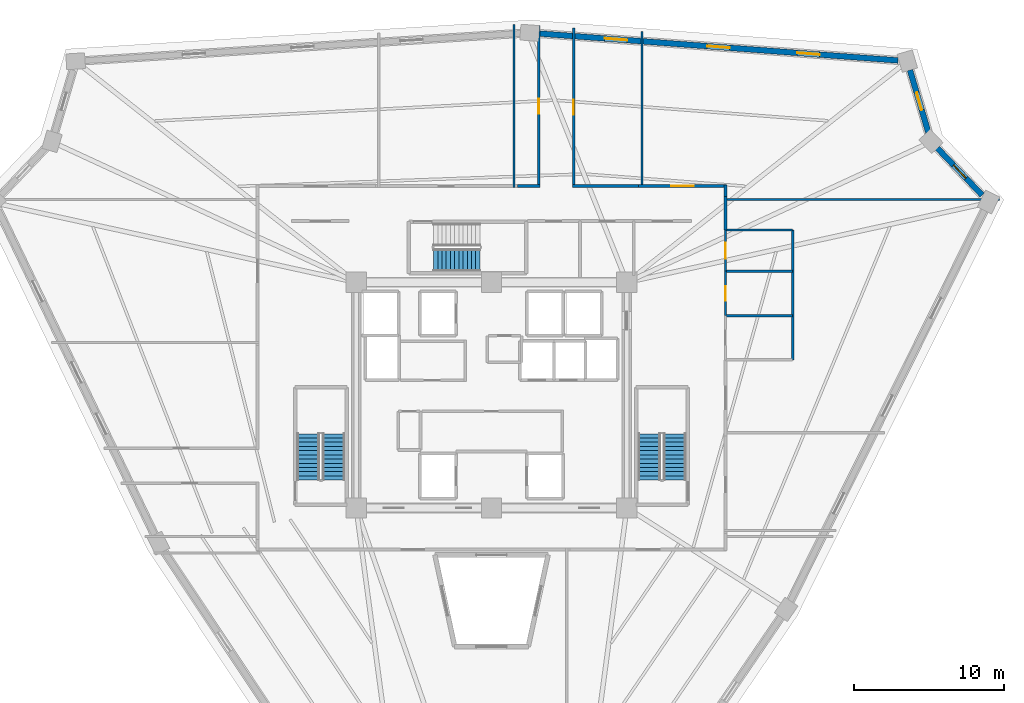
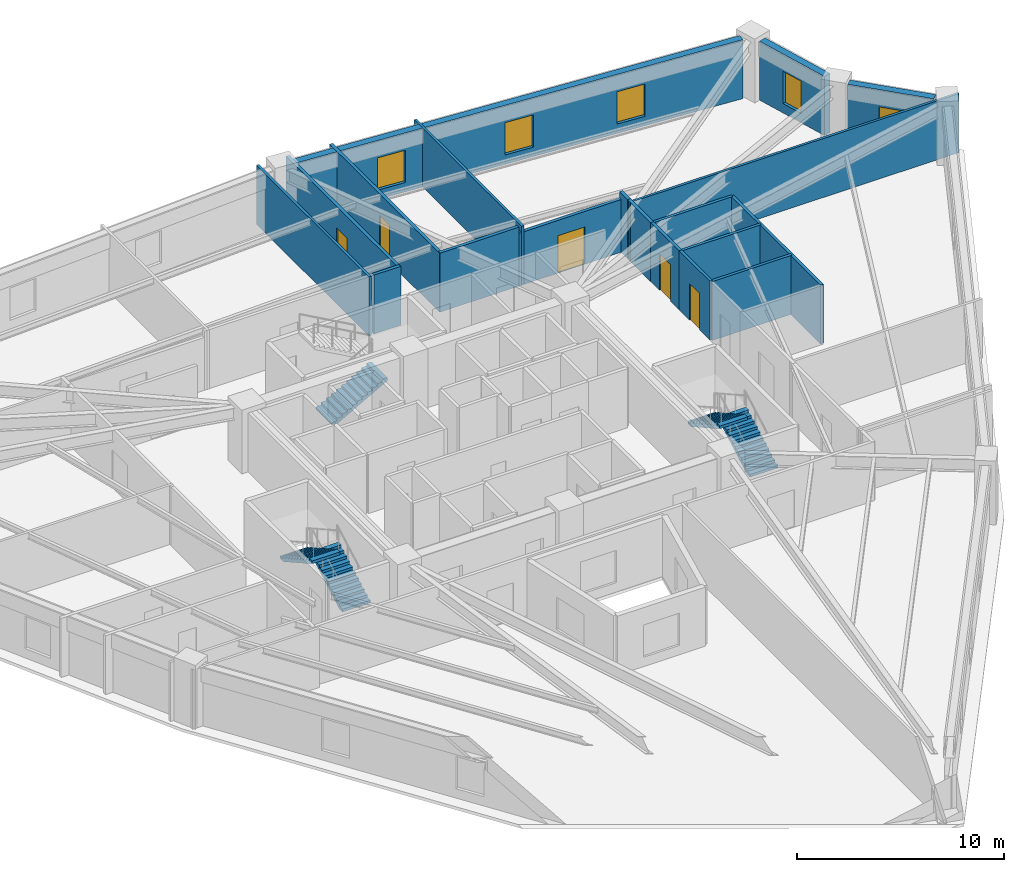
# One storey, part 7 of 9: 19 walls, 5 doors, 5 stair flights, 5 windows, 10 openings, 3 elements without a shape of their own.
"""IFC4 building model written with IfcOpenShell, lengths in metres."""

import ifcopenshell
import ifcopenshell.guid

model = None  # the IFC model being written
_history = None  # IfcOwnerHistory: only IFC2X3 demands one
_inside = {}  # id of a spatial element -> (the spatial element, [elements in it])
_under = {}  # id of a project, library or spatial element -> (it, [spatial elements below it])
_declared = {}  # id of a project -> (the project, [libraries it declares])
_typed = {}  # id of a type object -> (the type object, [elements of that type])
_made_of = {}  # id of a material, layer set ... -> (it, [elements and type objects made of it])


def new_model(schema):
    """Start an empty IFC model of exactly this schema.

    Asked for "IFC4X3", IfcOpenShell would pick the latest addendum, in which some entities
    have other attributes; the version numbers below select the first issue.
    IFC2X3 requires an IfcOwnerHistory on every rooted entity: one is made here for all.
    """
    global model, _history
    if schema == "IFC4X3":
        model = ifcopenshell.file(schema_version=(4, 3, 0, 0))
    else:
        model = ifcopenshell.file(schema=schema)
    _inside.clear()
    _under.clear()
    _declared.clear()
    _typed.clear()
    _made_of.clear()
    _history = None
    if model.schema == "IFC2X3":
        org = make("IfcOrganization", Name="unknown")
        user = make(
            "IfcPersonAndOrganization",
            ThePerson=make("IfcPerson", FamilyName="unknown"),
            TheOrganization=org,
        )
        app = make(
            "IfcApplication",
            ApplicationDeveloper=org,
            Version="unknown",
            ApplicationFullName="unknown",
            ApplicationIdentifier="unknown",
        )
        _history = make(
            "IfcOwnerHistory",
            OwningUser=user,
            OwningApplication=app,
            ChangeAction="ADDED",
            CreationDate=0,
        )
    return model


def make(cls, **values):
    """One entity of the class cls with the attributes given. An attribute that is None is left unset."""
    return model.create_entity(
        cls, **{name: value for name, value in values.items() if value is not None}
    )


def rooted(cls, **values):
    """An entity with a GlobalId (a new one), such as an element, a storey or a relation."""
    return make(cls, GlobalId=ifcopenshell.guid.new(), OwnerHistory=_history, **values)


def si_unit(unit_type, name, prefix=None):
    """IfcSIUnit, for example si_unit("LENGTHUNIT", "METRE", prefix="MILLI")."""
    return make("IfcSIUnit", UnitType=unit_type, Prefix=prefix, Name=name)


def assignment(units):
    """IfcUnitAssignment: the units of a project."""
    return None if units is None else make("IfcUnitAssignment", Units=units)


def point(xyz):
    """IfcCartesianPoint."""
    return None if xyz is None else make("IfcCartesianPoint", Coordinates=xyz)


def direction(xyz):
    """IfcDirection."""
    return None if xyz is None else make("IfcDirection", DirectionRatios=xyz)


def frame(location, z_axis=None, x_axis=None):
    """IfcAxis2Placement3D, a coordinate frame: its origin and axes. An axis left out is left unset."""
    return make(
        "IfcAxis2Placement3D",
        Location=point(location),
        Axis=direction(z_axis),
        RefDirection=direction(x_axis),
    )


def frame_2d(location, x_axis=None):
    """IfcAxis2Placement2D, a coordinate frame in the plane: its origin and x axis."""
    return make(
        "IfcAxis2Placement2D", Location=point(location), RefDirection=direction(x_axis)
    )


def origin():
    """The frame at (0, 0, 0) with its axes left unset."""
    return frame((0.0, 0.0, 0.0))


def place(relative_to, where):
    """IfcLocalPlacement: puts the frame where relative to a parent placement (None: the world)."""
    return make(
        "IfcLocalPlacement", PlacementRelTo=relative_to, RelativePlacement=where
    )


def context(
    kind, dimensions, precision=None, world=None, true_north=None, identifier=None
):
    """IfcGeometricRepresentationContext, for example the 3D "Model" context."""
    return make(
        "IfcGeometricRepresentationContext",
        ContextIdentifier=identifier,
        ContextType=kind,
        CoordinateSpaceDimension=dimensions,
        Precision=precision,
        WorldCoordinateSystem=world,
        TrueNorth=true_north,
    )


def subcontext(parent, identifier, kind, view, scale=None):
    """IfcGeometricRepresentationSubContext, for example "Body" below "Model"."""
    return make(
        "IfcGeometricRepresentationSubContext",
        ContextIdentifier=identifier,
        ContextType=kind,
        ParentContext=parent,
        TargetScale=scale,
        TargetView=view,
    )


def project(units=None, contexts=None):
    """IfcProject with its units and contexts."""
    return rooted(
        "IfcProject",
        Name="project",
        RepresentationContexts=contexts,
        UnitsInContext=assignment(units),
    )


def spatial(cls, under=None, at=None, **own):
    """A site, building, storey or space (cls), placed at a placement, below another one or the project."""
    s = rooted(cls, ObjectPlacement=at, **own)
    if under is not None:
        _under.setdefault(under.id(), (under, []))[1].append(s)
    return s


def polyline(points):
    """IfcPolyline through the points."""
    return make("IfcPolyline", Points=[point(p) for p in points])


def profile(cls, at=None, kind="AREA", **sizes):
    """A parametric profile (cls). Its sizes go by their IFC names, for example OverallWidth=200.0."""
    return make(cls, ProfileType=kind, Position=at, **sizes)


def rectangle(**sizes):
    """IfcRectangleProfileDef."""
    return profile("IfcRectangleProfileDef", **sizes)


def outline(outer, holes=None, kind="AREA"):
    """IfcArbitraryClosedProfileDef: a profile drawn as a closed curve; with holes, ...WithVoids."""
    if holes is None:
        return make("IfcArbitraryClosedProfileDef", ProfileType=kind, OuterCurve=outer)
    return make(
        "IfcArbitraryProfileDefWithVoids",
        ProfileType=kind,
        OuterCurve=outer,
        InnerCurves=holes,
    )


def extrude(swept, where, along, depth):
    """IfcExtrudedAreaSolid: the profile swept, set in the frame where, extruded along a direction by depth."""
    return make(
        "IfcExtrudedAreaSolid",
        SweptArea=swept,
        Position=where,
        ExtrudedDirection=direction(along),
        Depth=depth,
    )


def shape(context_of_items, identifier, shape_type, items):
    """IfcShapeRepresentation: the items that make up one representation, for example the "Body"."""
    return make(
        "IfcShapeRepresentation",
        ContextOfItems=context_of_items,
        RepresentationIdentifier=identifier,
        RepresentationType=shape_type,
        Items=items,
    )


def source(mapping_origin, context_of_items, identifier, shape_type, items):
    """IfcRepresentationMap: a shape defined once, which mapped items show again and again."""
    return make(
        "IfcRepresentationMap",
        MappingOrigin=mapping_origin,
        MappedRepresentation=shape(context_of_items, identifier, shape_type, items),
    )


def transform(
    local_origin,
    x_axis=None,
    y_axis=None,
    z_axis=None,
    scale=None,
    scale2=None,
    scale3=None,
    uniform=True,
):
    """IfcCartesianTransformationOperator3D, or its non-uniform kind. x_axis, y_axis, z_axis: its Axis1, 2, 3."""
    if uniform:
        return make(
            "IfcCartesianTransformationOperator3D",
            Axis1=direction(x_axis),
            Axis2=direction(y_axis),
            LocalOrigin=point(local_origin),
            Scale=scale,
            Axis3=direction(z_axis),
        )
    return make(
        "IfcCartesianTransformationOperator3DnonUniform",
        Axis1=direction(x_axis),
        Axis2=direction(y_axis),
        LocalOrigin=point(local_origin),
        Scale=scale,
        Axis3=direction(z_axis),
        Scale2=scale2,
        Scale3=scale3,
    )


def mapped(mapping_source, mapping_target):
    """IfcMappedItem: shows the shape of a source again, moved by a transform."""
    return make(
        "IfcMappedItem", MappingSource=mapping_source, MappingTarget=mapping_target
    )


def material(Name=None, Category=None):
    """IfcMaterial."""
    return make("IfcMaterial", Name=Name, Category=Category)


def layer(
    of_material, thickness, ventilated=None, Name=None, Category=None, Priority=None
):
    """IfcMaterialLayer: one layer of a wall or slab, of a material (None: an air gap)."""
    return make(
        "IfcMaterialLayer",
        Material=of_material,
        LayerThickness=thickness,
        IsVentilated=ventilated,
        Name=Name,
        Category=Category,
        Priority=Priority,
    )


def layer_set(layers, Name=None):
    """IfcMaterialLayerSet."""
    return make("IfcMaterialLayerSet", MaterialLayers=layers, LayerSetName=Name)


def made_of(thing, what):
    """Note that an element or type object is made of a material, layer set ...; save() writes the relation."""
    if what is not None:
        _made_of.setdefault(what.id(), (what, []))[1].append(thing)
    return thing


def type_object(cls, material=None, **own):
    """A type object (cls), such as IfcWallType, which elements share."""
    return made_of(rooted(cls, **own), material)


def element(
    cls,
    number,
    at=None,
    inside=None,
    cuts=None,
    type_object=None,
    material=None,
    context=None,
    identifier="Body",
    shape_type=None,
    held_by="IfcProductDefinitionShape",
    body=None,
    shapes=None,
    **own,
):
    """One element of the class cls, such as IfcWall. Its Tag is "e" and its number.

    at: its placement. inside: the storey or other place that contains it. cuts: it is an
    opening in that element (IfcRelVoidsElement). A single representation is given by context,
    identifier, shape_type and body (its items); several are given by shapes. held_by: the class
    of the entity that holds the representations. save() writes the other relations.
    """
    e = rooted(cls, Tag="e%d" % number, ObjectPlacement=at, **own)
    if body is not None:
        shapes = [shape(context, identifier, shape_type, body)]
    if shapes is not None:
        e.Representation = make(held_by, Representations=shapes)
    if inside is not None:
        _inside.setdefault(inside.id(), (inside, []))[1].append(e)
    if cuts is not None:
        rooted(
            "IfcRelVoidsElement", RelatingBuildingElement=cuts, RelatedOpeningElement=e
        )
    if type_object is not None:
        _typed.setdefault(type_object.id(), (type_object, []))[1].append(e)
    return made_of(e, material)


def fill(opening, filler):
    """IfcRelFillsElement: the door or window that sits in an opening."""
    return rooted(
        "IfcRelFillsElement",
        RelatingOpeningElement=opening,
        RelatedBuildingElement=filler,
    )


def aggregate(whole, parts):
    """IfcRelAggregates: a whole, such as a stair, and the parts it consists of."""
    return rooted("IfcRelAggregates", RelatingObject=whole, RelatedObjects=parts)


def save(model, path):
    """Write the relations noted so far, then the file.

    IfcRelAggregates (storeys below a building ...), IfcRelContainedInSpatialStructure (elements
    in a storey), IfcRelDefinesByType, IfcRelAssociatesMaterial and IfcRelDeclares: one each for
    every whole, place, type object, material and project.
    """
    for whole, parts in _under.values():
        aggregate(whole, parts)
    for where, things in _inside.values():
        rooted(
            "IfcRelContainedInSpatialStructure",
            RelatedElements=things,
            RelatingStructure=where,
        )
    for kind, things in _typed.values():
        rooted("IfcRelDefinesByType", RelatedObjects=things, RelatingType=kind)
    for what, things in _made_of.values():
        rooted("IfcRelAssociatesMaterial", RelatedObjects=things, RelatingMaterial=what)
    for by, libraries in _declared.values():
        rooted("IfcRelDeclares", RelatingContext=by, RelatedDefinitions=libraries)
    model.write(path)


model = new_model("IFC4")

# Units and contexts
model_context = context("Model", 3, precision=1e-05, world=origin(), true_north=direction((0.0, 1.0)))
body_context = subcontext(model_context, "Body", "Model", "MODEL_VIEW")
ifc_project = project(units=[si_unit("LENGTHUNIT", "METRE"), si_unit("AREAUNIT", "SQUARE_METRE"), si_unit("VOLUMEUNIT", "CUBIC_METRE"), si_unit("PLANEANGLEUNIT", "RADIAN"), si_unit("MASSUNIT", "GRAM", prefix="KILO")], contexts=[model_context])

# Site, building, storey
site_placement = place(None, origin())
site = spatial("IfcSite", under=ifc_project, at=site_placement, CompositionType="ELEMENT")
building_placement = place(site_placement, origin())
building = spatial("IfcBuilding", under=site, at=building_placement, Name="Liaohun Quay Tower", CompositionType="ELEMENT")
storey_placement = place(building_placement, frame((0.0, 0.0, 228.0)))
storey = spatial("IfcBuildingStorey", under=building, at=storey_placement, Name="L59", CompositionType="ELEMENT", Elevation=228.0)

# Wall, opening, window
ifc_material_1 = material(Name="Precast concrete C50 insulated sandwich", Category="concrete")
ifc_layer_1 = layer(ifc_material_1, 0.3798828125, Name="Precast concrete C50 insulated sandwich", Category="concrete")
ifc_layer_set_1 = layer_set([ifc_layer_1], Name="Precast concrete C50 insulated sandwich")
wall_type_1 = type_object("IfcWallType", Name="WAL-EXT-Z34", PredefinedType="SOLIDWALL", material=ifc_layer_set_1)
wall_1_placement = place(storey_placement, frame((92.626953125, 67.2919921875, 0.0), z_axis=(0.0, 0.0, 1.0), x_axis=(-0.689302673128, 0.724473481101, 0.0)))
wall_1 = element("IfcWall", 1, at=wall_1_placement, inside=storey, type_object=wall_type_1, Name="L59 Brutalist Precast Pier Wall 04", PredefinedType="SOLIDWALL", context=body_context, shape_type="SweptSolid", body=[
    extrude(rectangle(XDim=4.32470703125, YDim=0.3798828125, at=frame_2d((2.162353515625, 0.0))), origin(), (0.0, 0.0, 1.0), 3.469970703125),
])
shared_shape_1 = source(origin(), body_context, "Body", "SweptSolid", [
    extrude(rectangle(XDim=1.199951171875, YDim=1.89990234375, at=frame_2d((0.60009765625, 0.949951171875))), frame((0.0, 0.199951171875, 0.0), z_axis=(0.0, -1.0, 0.0), x_axis=(1.0, 0.0, 0.0)), (0.0, 0.0, 1.0), 0.39990234375),
])
opening_1_placement = place(wall_1_placement, frame((1.56201171875, 0.0, 0.550048828125)))
opening_1 = element("IfcOpeningElement", 2, at=opening_1_placement, cuts=wall_1, Name="Opening W05", PredefinedType="OPENING", context=body_context, shape_type="MappedRepresentation", body=[
    mapped(shared_shape_1, transform((0.0, 0.0, 0.0), x_axis=(1.0, 0.0, 0.0), y_axis=(0.0, 1.0, 0.0), z_axis=(0.0, 0.0, 1.0), scale=1.0)),
])
ifc_material_2 = material(Name="Triple Low-E corner notch glazing", Category="glass")
window_type_1 = type_object("IfcWindowType", Name="WIN-NOTCH", PartitioningType="SINGLE_PANEL", PredefinedType="WINDOW", material=ifc_material_2)
shared_shape_2 = source(origin(), body_context, "Body", "SweptSolid", [
    extrude(rectangle(XDim=1.199951171875, YDim=1.89990234375, at=frame_2d((0.60009765625, 0.949951171875))), frame((0.0, 0.030029296875, 0.0), z_axis=(0.0, -1.0, 0.0), x_axis=(1.0, 0.0, 0.0)), (0.0, 0.0, 1.0), 0.06005859375),
])
window_1_placement = place(opening_1_placement, origin())
window_1 = element("IfcWindow", 3, at=window_1_placement, inside=storey, type_object=window_type_1, Name="L59 Corner Notch Window W05-04", OverallHeight=1.89990234375, OverallWidth=1.199951171875, PartitioningType="SINGLE_PANEL", PredefinedType="WINDOW", context=body_context, shape_type="MappedRepresentation", body=[
    mapped(shared_shape_2, transform((0.0, 0.0, 0.0), x_axis=(1.0, 0.0, 0.0), y_axis=(0.0, 1.0, 0.0), z_axis=(0.0, 0.0, 1.0), scale=1.0)),
])
fill(opening_1, window_1)

wall_2_placement = place(storey_placement, frame((89.048095703125, 71.4609375, 0.0), z_axis=(0.0, 0.0, 1.0), x_axis=(-0.282748942372, 0.959193950975, 0.0)))
wall_2 = element("IfcWall", 4, at=wall_2_placement, inside=storey, type_object=wall_type_1, Name="L59 Brutalist Precast Pier Wall 05", PredefinedType="SOLIDWALL", context=body_context, shape_type="SweptSolid", body=[
    extrude(rectangle(XDim=4.332763671875, YDim=0.3798828125, at=frame_2d((2.16650390625, 0.0))), origin(), (0.0, 0.0, 1.0), 3.469970703125),
])
opening_2_placement = place(wall_2_placement, frame((1.56591796875, 0.0, 0.550048828125)))
opening_2 = element("IfcOpeningElement", 5, at=opening_2_placement, cuts=wall_2, Name="Opening W05", PredefinedType="OPENING", context=body_context, shape_type="MappedRepresentation", body=[
    mapped(shared_shape_1, transform((0.0, 0.0, 0.0), x_axis=(1.0, 0.0, 0.0), y_axis=(0.0, 1.0, 0.0), z_axis=(0.0, 0.0, 1.0), scale=1.0)),
])
window_2_placement = place(opening_2_placement, origin())
window_2 = element("IfcWindow", 6, at=window_2_placement, inside=storey, type_object=window_type_1, Name="L59 Corner Notch Window W05-05", OverallHeight=1.89990234375, OverallWidth=1.199951171875, PartitioningType="SINGLE_PANEL", PredefinedType="WINDOW", context=body_context, shape_type="MappedRepresentation", body=[
    mapped(shared_shape_2, transform((0.0, 0.0, 0.0), x_axis=(1.0, 0.0, 0.0), y_axis=(0.0, 1.0, 0.0), z_axis=(0.0, 0.0, 1.0), scale=1.0)),
])
fill(opening_2, window_2)

# Wall, openings, windows
wall_3_placement = place(storey_placement, frame((87.035888671875, 76.2529296875, 0.0), z_axis=(0.0, 0.0, 1.0), x_axis=(-0.997196419931, 0.07482847103, 0.0)))
wall_3 = element("IfcWall", 7, at=wall_3_placement, inside=storey, type_object=wall_type_1, Name="L59 Brutalist Precast Pier Wall 06", PredefinedType="SOLIDWALL", context=body_context, shape_type="SweptSolid", body=[
    extrude(rectangle(XDim=23.947998046875, YDim=0.3798828125, at=frame_2d((11.97412109375, 0.0))), origin(), (0.0, 0.0, 1.0), 3.469970703125),
])
shared_shape_3 = source(origin(), body_context, "Body", "SweptSolid", [
    extrude(rectangle(XDim=1.5, YDim=1.89990234375, at=frame_2d((0.75, 0.949951171875))), frame((0.0, 0.199951171875, 0.0), z_axis=(0.0, -1.0, 0.0), x_axis=(1.0, 0.0, 0.0)), (0.0, 0.0, 1.0), 0.39990234375),
])
opening_3_placement = place(wall_3_placement, frame((5.237060546875, 0.0, 0.550048828125)))
opening_3 = element("IfcOpeningElement", 8, at=opening_3_placement, cuts=wall_3, Name="Opening W03", PredefinedType="OPENING", context=body_context, shape_type="MappedRepresentation", body=[
    mapped(shared_shape_3, transform((0.0, 0.0, 0.0), x_axis=(1.0, 0.0, 0.0), y_axis=(0.0, 1.0, 0.0), z_axis=(0.0, 0.0, 1.0), scale=1.0)),
])
opening_4_placement = place(wall_3_placement, frame((11.22412109375, 0.0, 0.550048828125)))
opening_4 = element("IfcOpeningElement", 9, at=opening_4_placement, cuts=wall_3, Name="Opening W03", PredefinedType="OPENING", context=body_context, shape_type="MappedRepresentation", body=[
    mapped(shared_shape_3, transform((0.0, 0.0, 0.0), x_axis=(1.0, 0.0, 0.0), y_axis=(0.0, 1.0, 0.0), z_axis=(0.0, 0.0, 1.0), scale=1.0)),
])
opening_5_placement = place(wall_3_placement, frame((18.06103515625, 0.0, 0.550048828125)))
opening_5 = element("IfcOpeningElement", 10, at=opening_5_placement, cuts=wall_3, Name="Opening W03", PredefinedType="OPENING", context=body_context, shape_type="MappedRepresentation", body=[
    mapped(shared_shape_3, transform((0.0, 0.0, 0.0), x_axis=(1.0, 0.0, 0.0), y_axis=(0.0, 1.0, 0.0), z_axis=(0.0, 0.0, 1.0), scale=1.0)),
])
ifc_material_3 = material(Name="Triple Low-E argon glazing in thermally broken aluminium", Category="aluminium")
window_type_2 = type_object("IfcWindowType", Name="WIN-PUN-Z3", PartitioningType="DOUBLE_PANEL_VERTICAL", PredefinedType="WINDOW", material=ifc_material_3)
shared_shape_4 = source(origin(), body_context, "Body", "SweptSolid", [
    extrude(rectangle(XDim=1.5, YDim=1.89990234375, at=frame_2d((0.75, 0.949951171875))), frame((0.0, 0.030029296875, 0.0), z_axis=(0.0, -1.0, 0.0), x_axis=(1.0, 0.0, 0.0)), (0.0, 0.0, 1.0), 0.06005859375),
])
window_3_placement = place(opening_3_placement, origin())
window_3 = element("IfcWindow", 11, at=window_3_placement, inside=storey, type_object=window_type_2, Name="L59 Recessed Cold-Climate Punched Window 06-1", OverallHeight=1.89990234375, OverallWidth=1.5, PartitioningType="DOUBLE_PANEL_VERTICAL", PredefinedType="WINDOW", context=body_context, shape_type="MappedRepresentation", body=[
    mapped(shared_shape_4, transform((0.0, 0.0, 0.0), x_axis=(1.0, 0.0, 0.0), y_axis=(0.0, 1.0, 0.0), z_axis=(0.0, 0.0, 1.0), scale=1.0)),
])
fill(opening_3, window_3)
window_4_placement = place(opening_4_placement, origin())
window_4 = element("IfcWindow", 12, at=window_4_placement, inside=storey, type_object=window_type_2, Name="L59 Recessed Cold-Climate Punched Window 06-2", OverallHeight=1.89990234375, OverallWidth=1.5, PartitioningType="DOUBLE_PANEL_VERTICAL", PredefinedType="WINDOW", context=body_context, shape_type="MappedRepresentation", body=[
    mapped(shared_shape_4, transform((0.0, 0.0, 0.0), x_axis=(1.0, 0.0, 0.0), y_axis=(0.0, 1.0, 0.0), z_axis=(0.0, 0.0, 1.0), scale=1.0)),
])
fill(opening_4, window_4)
window_5_placement = place(opening_5_placement, origin())
window_5 = element("IfcWindow", 13, at=window_5_placement, inside=storey, type_object=window_type_2, Name="L59 Recessed Cold-Climate Punched Window 06-3", OverallHeight=1.89990234375, OverallWidth=1.5, PartitioningType="DOUBLE_PANEL_VERTICAL", PredefinedType="WINDOW", context=body_context, shape_type="MappedRepresentation", body=[
    mapped(shared_shape_4, transform((0.0, 0.0, 0.0), x_axis=(1.0, 0.0, 0.0), y_axis=(0.0, 1.0, 0.0), z_axis=(0.0, 0.0, 1.0), scale=1.0)),
])
fill(opening_5, window_5)

# Wall, opening, door
ifc_material_4 = material(Name="Autoclaved aerated concrete blockwork", Category="masonry")
ifc_layer_2 = layer(ifc_material_4, 0.179931640625, Name="Autoclaved aerated concrete blockwork", Category="masonry")
ifc_layer_set_2 = layer_set([ifc_layer_2], Name="Autoclaved aerated concrete blockwork")
wall_type_2 = type_object("IfcWallType", Name="WAL-PRT-COR", PredefinedType="PARTITIONING", material=ifc_layer_set_2)
wall_4_placement = place(storey_placement, frame((69.784912109375, 67.909912109375, 0.0), z_axis=(0.0, 0.0, 1.0), x_axis=(1.0, 0.0, 0.0)))
wall_4 = element("IfcWall", 14, at=wall_4_placement, inside=storey, type_object=wall_type_2, Name="L59 Interior Partition Wall 013", PredefinedType="PARTITIONING", context=body_context, shape_type="SweptSolid", body=[
    extrude(rectangle(XDim=5.844970703125, YDim=0.179931640625, at=frame_2d((2.92236328125, 0.0))), origin(), (0.0, 0.0, 1.0), 3.10498046875),
])
shared_shape_5 = source(origin(), body_context, "Body", "SweptSolid", [
    extrude(rectangle(XDim=1.5, YDim=2.199951171875, at=frame_2d((0.75, 1.10009765625))), frame((0.0, 0.099853515625, 0.0), z_axis=(0.0, -1.0, 0.0), x_axis=(1.0, 0.0, 0.0)), (0.0, 0.0, 1.0), 0.199951171875),
])
opening_6_placement = place(wall_4_placement, frame((2.172119140625, 0.0, 0.0)))
opening_6 = element("IfcOpeningElement", 15, at=opening_6_placement, cuts=wall_4, Name="Opening OD2", PredefinedType="OPENING", context=body_context, shape_type="MappedRepresentation", body=[
    mapped(shared_shape_5, transform((0.0, 0.0, 0.0), x_axis=(1.0, 0.0, 0.0), y_axis=(0.0, 1.0, 0.0), z_axis=(0.0, 0.0, 1.0), scale=1.0)),
])
ifc_material_5 = material(Name="Acoustic oak veneer double door")
door_type_1 = type_object("IfcDoorType", Name="DOR-OFF-1500", OperationType="DOUBLE_DOOR_SINGLE_SWING", PredefinedType="DOOR", material=ifc_material_5)
shared_shape_6 = source(origin(), body_context, "Body", "SweptSolid", [
    extrude(rectangle(XDim=1.5, YDim=2.199951171875, at=frame_2d((0.75, 1.10009765625))), frame((0.0, 0.02490234375, 0.0), z_axis=(0.0, -1.0, 0.0), x_axis=(1.0, 0.0, 0.0)), (0.0, 0.0, 1.0), 0.050048828125),
])
door_1_placement = place(opening_6_placement, origin())
door_1 = element("IfcDoor", 16, at=door_1_placement, inside=storey, type_object=door_type_1, Name="L59 Corporate Exhibition Gallery 02 Door", OperationType="DOUBLE_DOOR_SINGLE_SWING", OverallHeight=2.199951171875, OverallWidth=1.5, PredefinedType="DOOR", context=body_context, shape_type="MappedRepresentation", body=[
    mapped(shared_shape_6, transform((0.0, 0.0, 0.0), x_axis=(1.0, 0.0, 0.0), y_axis=(0.0, 1.0, 0.0), z_axis=(0.0, 0.0, 1.0), scale=1.0)),
])
fill(opening_6, door_1)

wall_5_placement = place(storey_placement, frame((65.4599609375, 78.4130859375, 0.0), z_axis=(0.0, 0.0, 1.0), x_axis=(0.0, -1.0, 0.0)))
wall_5 = element("IfcWall", 17, at=wall_5_placement, inside=storey, type_object=wall_type_2, Name="L59 Interior Partition Wall 014", PredefinedType="PARTITIONING", context=body_context, shape_type="SweptSolid", body=[
    extrude(rectangle(XDim=10.572998046875, YDim=0.179931640625, at=frame_2d((5.28662109375, 0.0))), origin(), (0.0, 0.0, 1.0), 3.469970703125),
])
shared_shape_7 = source(origin(), body_context, "Body", "SweptSolid", [
    extrude(rectangle(XDim=1.0, YDim=2.199951171875, at=frame_2d((0.5, 1.10009765625))), frame((0.0, 0.099853515625, 0.0), z_axis=(0.0, -1.0, 0.0), x_axis=(1.0, 0.0, 0.0)), (0.0, 0.0, 1.0), 0.199951171875),
])
opening_7_placement = place(wall_5_placement, frame((4.785888671875, 0.0, 0.0)))
opening_7 = element("IfcOpeningElement", 18, at=opening_7_placement, cuts=wall_5, Name="Opening OD1", PredefinedType="OPENING", context=body_context, shape_type="MappedRepresentation", body=[
    mapped(shared_shape_7, transform((0.0, 0.0, 0.0), x_axis=(1.0, 0.0, 0.0), y_axis=(0.0, 1.0, 0.0), z_axis=(0.0, 0.0, 1.0), scale=1.0)),
])
ifc_material_6 = material(Name="Solid-core oak veneer timber leaf in steel frame", Category="steel")
door_type_2 = type_object("IfcDoorType", Name="DOR-OFF-1000", OperationType="NOTDEFINED", PredefinedType="DOOR", material=ifc_material_6)
shared_shape_8 = source(origin(), body_context, "Body", "SweptSolid", [
    extrude(rectangle(XDim=1.0, YDim=2.199951171875, at=frame_2d((0.5, 1.10009765625))), frame((0.0, 0.02490234375, 0.0), z_axis=(0.0, -1.0, 0.0), x_axis=(1.0, 0.0, 0.0)), (0.0, 0.0, 1.0), 0.050048828125),
])
door_2_placement = place(opening_7_placement, origin())
door_2 = element("IfcDoor", 19, at=door_2_placement, inside=storey, type_object=door_type_2, Name="L59 Staff Daycare Nursery 03 Door", OperationType="SINGLE_SWING_LEFT", OverallHeight=2.199951171875, OverallWidth=1.0, PredefinedType="DOOR", context=body_context, shape_type="MappedRepresentation", body=[
    mapped(shared_shape_8, transform((0.0, 0.0, 0.0), x_axis=(1.0, 0.0, 0.0), y_axis=(0.0, 1.0, 0.0), z_axis=(0.0, 0.0, 1.0), scale=1.0)),
])
fill(opening_7, door_2)

wall_6_placement = place(storey_placement, frame((63.139892578125, 67.840087890625, 0.0), z_axis=(0.0, 0.0, 1.0), x_axis=(0.0, 1.0, 0.0)))
wall_6 = element("IfcWall", 20, at=wall_6_placement, inside=storey, type_object=wall_type_2, Name="L59 Interior Partition Wall 015", PredefinedType="PARTITIONING", context=body_context, shape_type="SweptSolid", body=[
    extrude(rectangle(XDim=10.746826171875, YDim=0.179931640625, at=frame_2d((5.37353515625, 0.0))), origin(), (0.0, 0.0, 1.0), 3.469970703125),
])
opening_8_placement = place(wall_6_placement, frame((4.873046875, 0.0, 0.0)))
opening_8 = element("IfcOpeningElement", 21, at=opening_8_placement, cuts=wall_6, Name="Opening OD1", PredefinedType="OPENING", context=body_context, shape_type="MappedRepresentation", body=[
    mapped(shared_shape_7, transform((0.0, 0.0, 0.0), x_axis=(1.0, 0.0, 0.0), y_axis=(0.0, 1.0, 0.0), z_axis=(0.0, 0.0, 1.0), scale=1.0)),
])
door_3_placement = place(opening_8_placement, origin())
door_3 = element("IfcDoor", 22, at=door_3_placement, inside=storey, type_object=door_type_2, Name="L59 Project Collaboration Studio 04 Door", OperationType="SINGLE_SWING_RIGHT", OverallHeight=2.199951171875, OverallWidth=1.0, PredefinedType="DOOR", context=body_context, shape_type="MappedRepresentation", body=[
    mapped(shared_shape_8, transform((0.0, 0.0, 0.0), x_axis=(1.0, 0.0, 0.0), y_axis=(0.0, 1.0, 0.0), z_axis=(0.0, 0.0, 1.0), scale=1.0)),
])
fill(opening_8, door_3)

# Walls
wall_7_placement = place(storey_placement, frame((75.56005859375, 67.215087890625, 0.0), z_axis=(0.0, 0.0, 1.0), x_axis=(0.0, -1.0, 0.0)))
element("IfcWall", 23, at=wall_7_placement, inside=storey, type_object=wall_type_2, Name="L59 Interior Partition Wall 037", PredefinedType="PARTITIONING", context=body_context, shape_type="SweptSolid", body=[
    extrude(rectangle(XDim=2.235107421875, YDim=0.179931640625, at=frame_2d((1.11767578125, 0.0))), origin(), (0.0, 0.0, 1.0), 3.469970703125),
])
wall_8_placement = place(storey_placement, frame((75.56005859375, 67.97998046875, 0.0), z_axis=(0.0, 0.0, 1.0), x_axis=(0.0, -1.0, 0.0)))
element("IfcWall", 24, at=wall_8_placement, inside=storey, type_object=wall_type_2, Name="L59 Interior Partition Wall 038", PredefinedType="PARTITIONING", context=body_context, shape_type="SweptSolid", body=[
    extrude(rectangle(XDim=0.764892578125, YDim=0.179931640625, at=frame_2d((0.38232421875, 0.0))), origin(), (0.0, 0.0, 1.0), 3.469970703125),
])
wall_9_placement = place(storey_placement, frame((65.389892578125, 67.909912109375, 0.0), z_axis=(0.0, 0.0, 1.0), x_axis=(1.0, 0.0, 0.0)))
element("IfcWall", 25, at=wall_9_placement, inside=storey, type_object=wall_type_2, Name="L59 Interior Partition Wall 039", PredefinedType="PARTITIONING", context=body_context, shape_type="SweptSolid", body=[
    extrude(rectangle(XDim=4.39501953125, YDim=0.179931640625, at=frame_2d((2.197509765625, 0.0))), origin(), (0.0, 0.0, 1.0), 3.469970703125),
])
wall_10_placement = place(storey_placement, frame((61.715087890625, 67.909912109375, 0.0), z_axis=(0.0, 0.0, 1.0), x_axis=(1.0, 0.0, 0.0)))
element("IfcWall", 26, at=wall_10_placement, inside=storey, type_object=wall_type_2, Name="L59 Interior Partition Wall 040", PredefinedType="PARTITIONING", context=body_context, shape_type="SweptSolid", body=[
    extrude(rectangle(XDim=1.494873046875, YDim=0.179931640625, at=frame_2d((0.74755859375, 0.0))), origin(), (0.0, 0.0, 1.0), 3.469970703125),
])
ifc_material_7 = material(Name="Gypsum board on twin steel studs", Category="steel")
ifc_layer_3 = layer(ifc_material_7, 0.139892578125, Name="Gypsum board on twin steel studs", Category="steel")
ifc_layer_set_3 = layer_set([ifc_layer_3], Name="Gypsum board on twin steel studs")
wall_type_3 = type_object("IfcWallType", Name="WAL-PRT-OFF", PredefinedType="PARTITIONING", material=ifc_layer_set_3)
wall_11_placement = place(storey_placement, frame((75.4599609375, 67.0, 0.0), z_axis=(0.0, 0.0, 1.0), x_axis=(1.0, 0.0, 0.0)))
element("IfcWall", 27, at=wall_11_placement, inside=storey, type_object=wall_type_3, Name="L59 Interior Partition Wall 053", PredefinedType="PARTITIONING", context=body_context, shape_type="SweptSolid", body=[
    extrude(rectangle(XDim=18.31396484375, YDim=0.139892578125, at=frame_2d((9.156982421875, 0.0))), origin(), (0.0, 0.0, 1.0), 3.469970703125),
])
wall_12_placement = place(storey_placement, frame((61.5, 67.81005859375, 0.0), z_axis=(0.0, 0.0, 1.0), x_axis=(0.0, 1.0, 0.0)))
element("IfcWall", 28, at=wall_12_placement, inside=storey, type_object=wall_type_3, Name="L59 Interior Partition Wall 055", PredefinedType="PARTITIONING", context=body_context, shape_type="SweptSolid", body=[
    extrude(rectangle(XDim=10.846923828125, YDim=0.139892578125, at=frame_2d((5.42333984375, 0.0))), origin(), (0.0, 0.0, 1.0), 3.469970703125),
])
wall_13_placement = place(storey_placement, frame((70.0, 67.81005859375, 0.0), z_axis=(0.0, 0.0, 1.0), x_axis=(0.0, 1.0, 0.0)))
element("IfcWall", 29, at=wall_13_placement, inside=storey, type_object=wall_type_3, Name="L59 Interior Partition Wall 056", PredefinedType="PARTITIONING", context=body_context, shape_type="SweptSolid", body=[
    extrude(rectangle(XDim=10.35302734375, YDim=0.139892578125, at=frame_2d((5.176513671875, 0.0))), origin(), (0.0, 0.0, 1.0), 3.469970703125),
])

# Wall, opening, door
ifc_material_8 = material(Name="Moisture-resistant masonry blockwork", Category="masonry")
ifc_layer_4 = layer(ifc_material_8, 0.159912109375, Name="Moisture-resistant masonry blockwork", Category="masonry")
ifc_layer_set_4 = layer_set([ifc_layer_4], Name="Moisture-resistant masonry blockwork")
wall_type_4 = type_object("IfcWallType", Name="WAL-PRT-WET", PredefinedType="PARTITIONING", material=ifc_layer_set_4)
wall_14_placement = place(storey_placement, frame((75.56005859375, 59.280029296875, 0.0), z_axis=(0.0, 0.0, 1.0), x_axis=(0.0, 1.0, 0.0)))
wall_14 = element("IfcWall", 30, at=wall_14_placement, inside=storey, type_object=wall_type_4, Name="L59 Interior Partition Wall 006", PredefinedType="PARTITIONING", context=body_context, shape_type="SweptSolid", body=[
    extrude(rectangle(XDim=2.9599609375, YDim=0.159912109375, at=frame_2d((1.47998046875, 0.0))), origin(), (0.0, 0.0, 1.0), 3.469970703125),
])
shared_shape_9 = source(origin(), body_context, "Body", "SweptSolid", [
    extrude(rectangle(XDim=0.949951171875, YDim=2.14990234375, at=frame_2d((0.47509765625, 1.074951171875))), frame((0.0, 0.08984375, 0.0), z_axis=(0.0, -1.0, 0.0), x_axis=(1.0, 0.0, 0.0)), (0.0, 0.0, 1.0), 0.179931640625),
])
opening_9_placement = place(wall_14_placement, frame((1.0048828125, 0.0, 0.0)))
opening_9 = element("IfcOpeningElement", 31, at=opening_9_placement, cuts=wall_14, Name="Opening WD1", PredefinedType="OPENING", context=body_context, shape_type="MappedRepresentation", body=[
    mapped(shared_shape_9, transform((0.0, 0.0, 0.0), x_axis=(1.0, 0.0, 0.0), y_axis=(0.0, 1.0, 0.0), z_axis=(0.0, 0.0, 1.0), scale=1.0)),
])
ifc_material_9 = material(Name="Moisture-resistant laminate timber leaf", Category="wood")
door_type_3 = type_object("IfcDoorType", Name="DOR-WC-950", OperationType="NOTDEFINED", PredefinedType="DOOR", material=ifc_material_9)
shared_shape_10 = source(origin(), body_context, "Body", "SweptSolid", [
    extrude(rectangle(XDim=0.949951171875, YDim=2.14990234375, at=frame_2d((0.47509765625, 1.074951171875))), frame((0.0, 0.02490234375, 0.0), z_axis=(0.0, -1.0, 0.0), x_axis=(1.0, 0.0, 0.0)), (0.0, 0.0, 1.0), 0.050048828125),
])
door_4_placement = place(opening_9_placement, origin())
door_4 = element("IfcDoor", 32, at=door_4_placement, inside=storey, type_object=door_type_3, Name="L59 Female Restroom WC Door", OperationType="SINGLE_SWING_LEFT", OverallHeight=2.14990234375, OverallWidth=0.949951171875, PredefinedType="DOOR", context=body_context, shape_type="MappedRepresentation", body=[
    mapped(shared_shape_10, transform((0.0, 0.0, 0.0), x_axis=(1.0, 0.0, 0.0), y_axis=(0.0, 1.0, 0.0), z_axis=(0.0, 0.0, 1.0), scale=1.0)),
])
fill(opening_9, door_4)

wall_15_placement = place(storey_placement, frame((75.56005859375, 62.239990234375, 0.0), z_axis=(0.0, 0.0, 1.0), x_axis=(0.0, 1.0, 0.0)))
wall_15 = element("IfcWall", 33, at=wall_15_placement, inside=storey, type_object=wall_type_4, Name="L59 Interior Partition Wall 007", PredefinedType="PARTITIONING", context=body_context, shape_type="SweptSolid", body=[
    extrude(rectangle(XDim=2.739990234375, YDim=0.159912109375, at=frame_2d((1.3701171875, 0.0))), origin(), (0.0, 0.0, 1.0), 3.469970703125),
])
shared_shape_11 = source(origin(), body_context, "Body", "SweptSolid", [
    extrude(rectangle(XDim=1.050048828125, YDim=2.14990234375, at=frame_2d((0.52490234375, 1.074951171875))), frame((0.0, 0.08984375, 0.0), z_axis=(0.0, -1.0, 0.0), x_axis=(1.0, 0.0, 0.0)), (0.0, 0.0, 1.0), 0.179931640625),
])
opening_10_placement = place(wall_15_placement, frame((0.844970703125, 0.0, 0.0)))
opening_10 = element("IfcOpeningElement", 34, at=opening_10_placement, cuts=wall_15, Name="Opening WD2", PredefinedType="OPENING", context=body_context, shape_type="MappedRepresentation", body=[
    mapped(shared_shape_11, transform((0.0, 0.0, 0.0), x_axis=(1.0, 0.0, 0.0), y_axis=(0.0, 1.0, 0.0), z_axis=(0.0, 0.0, 1.0), scale=1.0)),
])
ifc_material_10 = material(Name="Accessible outward-swinging laminate door")
door_type_4 = type_object("IfcDoorType", Name="DOR-AWC-1050", OperationType="NOTDEFINED", PredefinedType="DOOR", material=ifc_material_10)
shared_shape_12 = source(origin(), body_context, "Body", "SweptSolid", [
    extrude(rectangle(XDim=1.050048828125, YDim=2.14990234375, at=frame_2d((0.52490234375, 1.074951171875))), frame((0.0, 0.02490234375, 0.0), z_axis=(0.0, -1.0, 0.0), x_axis=(1.0, 0.0, 0.0)), (0.0, 0.0, 1.0), 0.050048828125),
])
door_5_placement = place(opening_10_placement, origin())
door_5 = element("IfcDoor", 35, at=door_5_placement, inside=storey, type_object=door_type_4, Name="L59 Accessible WC Door", OperationType="SINGLE_SWING_RIGHT", OverallHeight=2.14990234375, OverallWidth=1.050048828125, PredefinedType="DOOR", context=body_context, shape_type="MappedRepresentation", body=[
    mapped(shared_shape_12, transform((0.0, 0.0, 0.0), x_axis=(1.0, 0.0, 0.0), y_axis=(0.0, 1.0, 0.0), z_axis=(0.0, 0.0, 1.0), scale=1.0)),
])
fill(opening_10, door_5)

# Walls
wall_16_placement = place(storey_placement, frame((80.02001953125, 56.340087890625, 0.0), z_axis=(0.0, 0.0, 1.0), x_axis=(0.0, 1.0, 0.0)))
element("IfcWall", 36, at=wall_16_placement, inside=storey, type_object=wall_type_4, Name="L59 Interior Partition Wall 030", PredefinedType="PARTITIONING", context=body_context, shape_type="SweptSolid", body=[
    extrude(rectangle(XDim=8.639892578125, YDim=0.159912109375, at=frame_2d((4.31982421875, 0.0))), origin(), (0.0, 0.0, 1.0), 3.469970703125),
])
for number, where, z_axis, x_axis, name in (
    (37, (75.56005859375, 59.280029296875, 0.0), (0.0, 0.0, 1.0), (1.0, 0.0, 0.0), "L59 Interior Partition Wall 032"),
    (38, (75.56005859375, 62.239990234375, 0.0), (0.0, 0.0, 1.0), (1.0, 0.0, 0.0), "L59 Interior Partition Wall 033"),
    (39, (75.56005859375, 64.97998046875, 0.0), (0.0, 0.0, 1.0), (1.0, 0.0, 0.0), "L59 Interior Partition Wall 034"),
):
    element("IfcWall", number, at=place(storey_placement, frame(where, z_axis=z_axis, x_axis=x_axis)), inside=storey, type_object=wall_type_4, Name=name, PredefinedType="PARTITIONING", context=body_context, shape_type="SweptSolid", body=[
        extrude(rectangle(XDim=4.4599609375, YDim=0.159912109375, at=frame_2d((2.22998046875, 0.0))), origin(), (0.0, 0.0, 1.0), 3.469970703125),
    ])

# Stair, stair flights
ifc_material_11 = material(Name="Concrete C45", Category="concrete")
stair_type = type_object("IfcStairType", Name="STR-CORE-OFF", PredefinedType="HALF_TURN_STAIR", material=ifc_material_11)
stair_1_placement = place(storey_placement, origin())
stair_1 = element("IfcStair", 40, at=stair_1_placement, inside=storey, type_object=stair_type, Name="L59 Smokeproof Core Exit Stair ST-1", PredefinedType="HALF_TURN_STAIR")
stair_flight_type = type_object("IfcStairFlightType", Name="FLT-CORE-155", PredefinedType="STRAIGHT", material=ifc_material_11)
stair_flight_1_placement = place(storey_placement, frame((49.5048828125, 48.35009765625, 0.0), z_axis=(0.0, 0.0, 1.0), x_axis=(0.0, 1.0, 0.0)))
stair_flight_1 = element("IfcStairFlight", 41, at=stair_flight_1_placement, type_object=stair_flight_type, Name="ST-1 flight 1", NumberOfRisers=12, NumberOfTreads=11, PredefinedType="STRAIGHT", RiserHeight=0.15625, TreadLength=0.28, context=body_context, shape_type="SweptSolid", body=[
    extrude(outline(polyline([(0.0, 0.0), (0.0, 0.15625), (0.280029296875, 0.15625), (0.280029296875, 0.3125), (0.56005859375, 0.3125), (0.56005859375, 0.46875), (0.840087890625, 0.46875), (0.840087890625, 0.625), (1.1201171875, 0.625), (1.1201171875, 0.78125), (1.39990234375, 0.78125), (1.39990234375, 0.9375), (1.679931640625, 0.9375), (1.679931640625, 1.09375), (1.9599609375, 1.09375), (1.9599609375, 1.25), (2.239990234375, 1.25), (2.239990234375, 1.40625), (2.52001953125, 1.40625), (2.52001953125, 1.5625), (2.800048828125, 1.5625), (2.800048828125, 1.71875), (3.080078125, 1.71875), (3.080078125, 1.875), (3.080078125, 1.547119140625), (0.3076171875, 0.0), (0.0, 0.0)])), frame((0.0, 0.77490234375, 0.0), z_axis=(0.0, -1.0, 0.0), x_axis=(1.0, 0.0, 0.0)), (0.0, 0.0, 1.0), 1.550048828125),
])
stair_flight_2_placement = place(storey_placement, frame((47.81494140625, 51.429931640625, 1.875), z_axis=(0.0, 0.0, 1.0), x_axis=(0.0, -1.0, 0.0)))
stair_flight_2 = element("IfcStairFlight", 42, at=stair_flight_2_placement, type_object=stair_flight_type, Name="ST-1 flight 2", NumberOfRisers=12, NumberOfTreads=11, PredefinedType="STRAIGHT", RiserHeight=0.15625, TreadLength=0.28, context=body_context, shape_type="SweptSolid", body=[
    extrude(outline(polyline([(0.0, 0.0), (0.0, 0.15625), (0.280029296875, 0.15625), (0.280029296875, 0.3125), (0.56005859375, 0.3125), (0.56005859375, 0.46875), (0.840087890625, 0.46875), (0.840087890625, 0.625), (1.1201171875, 0.625), (1.1201171875, 0.78125), (1.39990234375, 0.78125), (1.39990234375, 0.9375), (1.679931640625, 0.9375), (1.679931640625, 1.09375), (1.9599609375, 1.09375), (1.9599609375, 1.25), (2.239990234375, 1.25), (2.239990234375, 1.40625), (2.52001953125, 1.40625), (2.52001953125, 1.5625), (2.800048828125, 1.5625), (2.800048828125, 1.71875), (3.080078125, 1.71875), (3.080078125, 1.875), (3.080078125, 1.547119140625), (0.3076171875, 0.0), (0.0, 0.0)])), frame((0.0, 0.77490234375, 0.0), z_axis=(0.0, -1.0, 0.0), x_axis=(1.0, 0.0, 0.0)), (0.0, 0.0, 1.0), 1.550048828125),
])
aggregate(stair_1, [stair_flight_1, stair_flight_2])

stair_2_placement = place(storey_placement, origin())
stair_2 = element("IfcStair", 43, at=stair_2_placement, inside=storey, type_object=stair_type, Name="L59 Smokeproof Core Exit Stair ST-2", PredefinedType="HALF_TURN_STAIR")
stair_flight_3_placement = place(storey_placement, frame((72.18505859375, 48.35009765625, 0.0), z_axis=(0.0, 0.0, 1.0), x_axis=(0.0, 1.0, 0.0)))
stair_flight_3 = element("IfcStairFlight", 44, at=stair_flight_3_placement, type_object=stair_flight_type, Name="ST-2 flight 1", NumberOfRisers=12, NumberOfTreads=11, PredefinedType="STRAIGHT", RiserHeight=0.15625, TreadLength=0.28, context=body_context, shape_type="SweptSolid", body=[
    extrude(outline(polyline([(0.0, 0.0), (0.0, 0.15625), (0.280029296875, 0.15625), (0.280029296875, 0.3125), (0.56005859375, 0.3125), (0.56005859375, 0.46875), (0.840087890625, 0.46875), (0.840087890625, 0.625), (1.1201171875, 0.625), (1.1201171875, 0.78125), (1.39990234375, 0.78125), (1.39990234375, 0.9375), (1.679931640625, 0.9375), (1.679931640625, 1.09375), (1.9599609375, 1.09375), (1.9599609375, 1.25), (2.239990234375, 1.25), (2.239990234375, 1.40625), (2.52001953125, 1.40625), (2.52001953125, 1.5625), (2.800048828125, 1.5625), (2.800048828125, 1.71875), (3.080078125, 1.71875), (3.080078125, 1.875), (3.080078125, 1.547119140625), (0.3076171875, 0.0), (0.0, 0.0)])), frame((0.0, 0.77490234375, 0.0), z_axis=(0.0, -1.0, 0.0), x_axis=(1.0, 0.0, 0.0)), (0.0, 0.0, 1.0), 1.550048828125),
])
stair_flight_4_placement = place(storey_placement, frame((70.4951171875, 51.429931640625, 1.875), z_axis=(0.0, 0.0, 1.0), x_axis=(0.0, -1.0, 0.0)))
stair_flight_4 = element("IfcStairFlight", 45, at=stair_flight_4_placement, type_object=stair_flight_type, Name="ST-2 flight 2", NumberOfRisers=12, NumberOfTreads=11, PredefinedType="STRAIGHT", RiserHeight=0.15625, TreadLength=0.28, context=body_context, shape_type="SweptSolid", body=[
    extrude(outline(polyline([(0.0, 0.0), (0.0, 0.15625), (0.280029296875, 0.15625), (0.280029296875, 0.3125), (0.56005859375, 0.3125), (0.56005859375, 0.46875), (0.840087890625, 0.46875), (0.840087890625, 0.625), (1.1201171875, 0.625), (1.1201171875, 0.78125), (1.39990234375, 0.78125), (1.39990234375, 0.9375), (1.679931640625, 0.9375), (1.679931640625, 1.09375), (1.9599609375, 1.09375), (1.9599609375, 1.25), (2.239990234375, 1.25), (2.239990234375, 1.40625), (2.52001953125, 1.40625), (2.52001953125, 1.5625), (2.800048828125, 1.5625), (2.800048828125, 1.71875), (3.080078125, 1.71875), (3.080078125, 1.875), (3.080078125, 1.547119140625), (0.3076171875, 0.0), (0.0, 0.0)])), frame((0.0, 0.77490234375, 0.0), z_axis=(0.0, -1.0, 0.0), x_axis=(1.0, 0.0, 0.0)), (0.0, 0.0, 1.0), 1.550048828125),
])
aggregate(stair_2, [stair_flight_3, stair_flight_4])

# Stair, stair flight
stair_3_placement = place(storey_placement, origin())
stair_3 = element("IfcStair", 46, at=stair_3_placement, inside=storey, type_object=stair_type, Name="L59 Smokeproof Core Exit Stair ST-3", PredefinedType="HALF_TURN_STAIR")
stair_flight_5_placement = place(storey_placement, frame((56.14990234375, 62.97509765625, 0.0), z_axis=(0.0, 0.0, 1.0), x_axis=(1.0, 0.0, 0.0)))
stair_flight_5 = element("IfcStairFlight", 47, at=stair_flight_5_placement, type_object=stair_flight_type, Name="ST-3 flight 1", NumberOfRisers=12, NumberOfTreads=11, PredefinedType="STRAIGHT", RiserHeight=0.15625, TreadLength=0.28, context=body_context, shape_type="SweptSolid", body=[
    extrude(outline(polyline([(0.0, 0.0), (0.0, 0.15625), (0.280029296875, 0.15625), (0.280029296875, 0.3125), (0.56005859375, 0.3125), (0.56005859375, 0.46875), (0.840087890625, 0.46875), (0.840087890625, 0.625), (1.1201171875, 0.625), (1.1201171875, 0.78125), (1.39990234375, 0.78125), (1.39990234375, 0.9375), (1.679931640625, 0.9375), (1.679931640625, 1.09375), (1.9599609375, 1.09375), (1.9599609375, 1.25), (2.239990234375, 1.25), (2.239990234375, 1.40625), (2.52001953125, 1.40625), (2.52001953125, 1.5625), (2.800048828125, 1.5625), (2.800048828125, 1.71875), (3.080078125, 1.71875), (3.080078125, 1.875), (3.080078125, 1.547119140625), (0.3076171875, 0.0), (0.0, 0.0)])), frame((0.0, 0.77490234375, 0.0), z_axis=(0.0, -1.0, 0.0), x_axis=(1.0, 0.0, 0.0)), (0.0, 0.0, 1.0), 1.550048828125),
])
aggregate(stair_3, [stair_flight_5])

save(model, "model.ifc")
